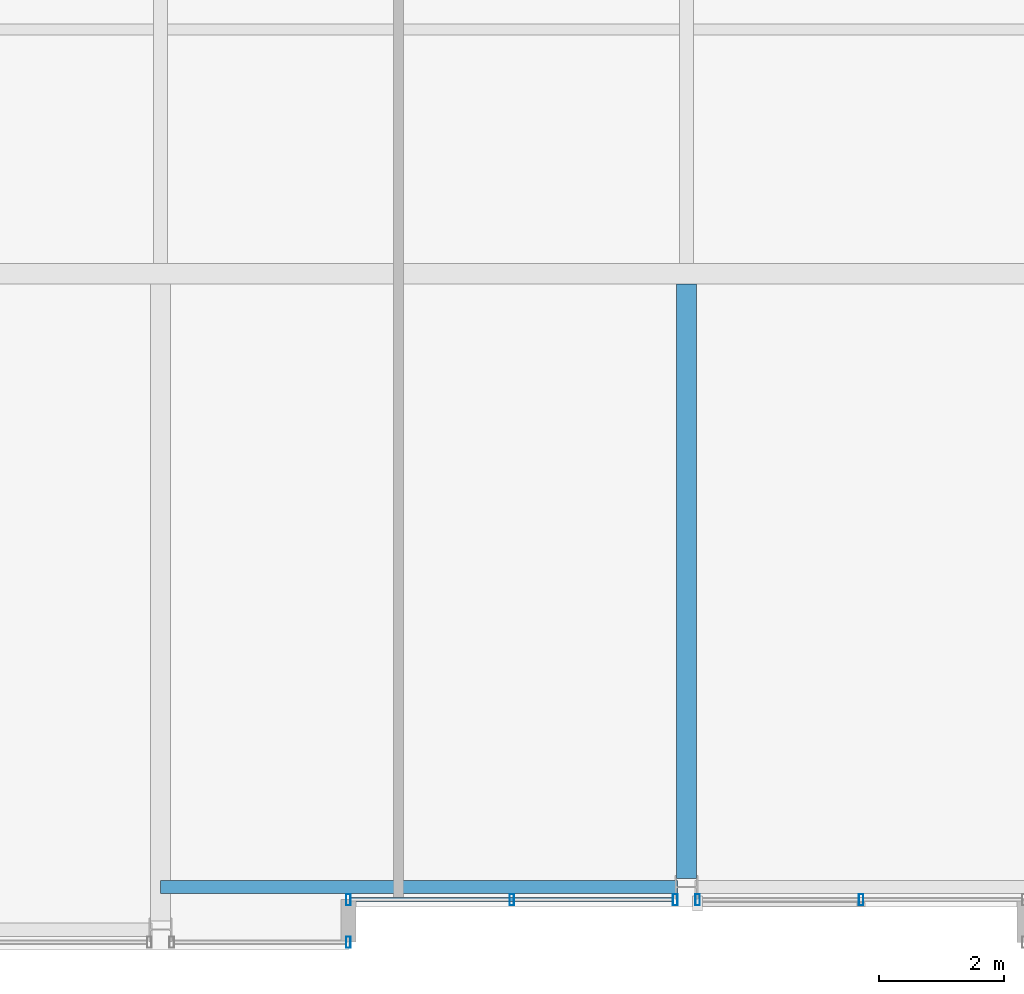
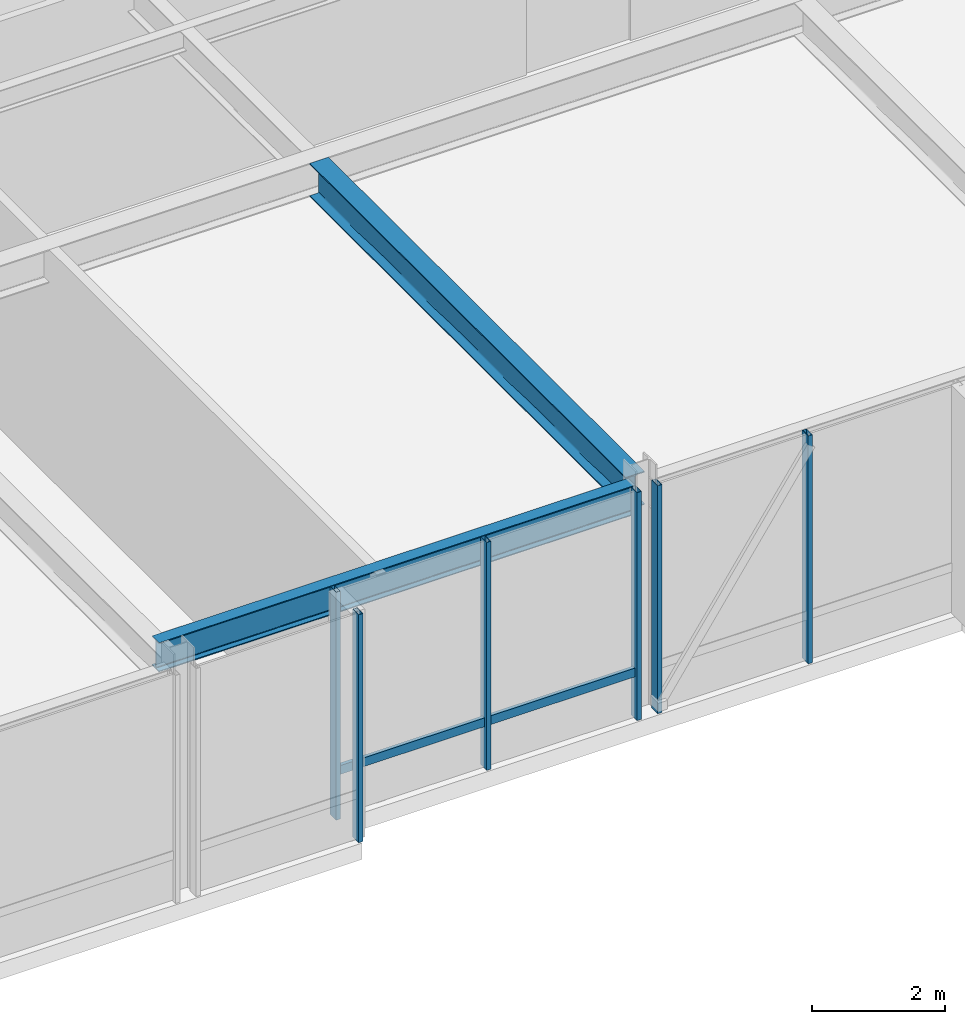
# One storey, part 6 of 32: 7 members, 2 beams, 3 elements without a shape of their own.
"""IFC4 building model written with IfcOpenShell, lengths in metres."""

from ifc_helpers import new_model, si_unit, direction, frame, origin, origin_2d, place, context, subcontext, project, spatial, hollow_rectangle, i_section, extrude, material, layer, layer_set, material_profile, profile_set, type_object, element, aggregate, save


model = new_model("IFC4")

# Units and contexts
model_context = context("Model", 3, precision=1e-05, world=origin(), true_north=direction((0.0, 1.0)))
body_context = subcontext(model_context, "Body", "Model", "MODEL_VIEW")
ifc_project = project(units=[si_unit("LENGTHUNIT", "METRE"), si_unit("AREAUNIT", "SQUARE_METRE"), si_unit("VOLUMEUNIT", "CUBIC_METRE"), si_unit("PLANEANGLEUNIT", "RADIAN"), si_unit("MASSUNIT", "GRAM", prefix="KILO")], contexts=[model_context])

# Site, building, storey
site_placement = place(None, origin())
site = spatial("IfcSite", under=ifc_project, at=site_placement, CompositionType="ELEMENT")
building_placement = place(site_placement, origin())
building = spatial("IfcBuilding", under=site, at=building_placement, Name="Drelvath Grand Hotel", CompositionType="ELEMENT")
storey_placement = place(building_placement, frame((0.0, 0.0, 255.5)))
storey = spatial("IfcBuildingStorey", under=building, at=storey_placement, Name="L67", CompositionType="ELEMENT", Elevation=255.5)

# Curtain wall, members
ifc_material_1 = material(Name="Platinum-Mist Anodised Aluminium Frame", Category="aluminium")
ifc_layer = layer(ifc_material_1, 0.199951171875)
ifc_layer_set = layer_set([ifc_layer], Name="Platinum-Mist Anodised Aluminium Frame")
curtain_wall_type = type_object("IfcCurtainWallType", Name="Stick Curtain Wall CW-05 Platinum Mist High-Rise", PredefinedType="NOTDEFINED", material=ifc_layer_set)
curtain_wall_1_placement = place(storey_placement, origin())
curtain_wall_1 = element("IfcCurtainWall", 1, at=curtain_wall_1_placement, inside=storey, type_object=curtain_wall_type, Name="L67 CW-05 Curtain Wall CW05-L67-SM1", PredefinedType="NOTDEFINED")
ifc_material_profile_1 = material_profile(ifc_material_1, hollow_rectangle(XDim=0.06494140625, YDim=0.159912109375, WallThickness=0.00390625, at=origin_2d()), Name="HSS160X65X4")
ifc_profile_set_1 = profile_set([ifc_material_profile_1], Name="Platinum-Mist Anodised Aluminium Frame")
member_type_1 = type_object("IfcMemberType", Name="Curtain Wall Horizontal Transom CW-05 HSS160X65X4", PredefinedType="USERDEFINED", material=ifc_profile_set_1)
member_1_placement = place(storey_placement, frame((-0.21826171875, 0.800048828125, 0.85009765625), z_axis=(-1.0, 0.0, 0.0), x_axis=(0.0, -1.0, 0.0)))
member_1 = element("IfcMember", 2, at=member_1_placement, type_object=member_type_1, Name="CW05-L67-SM1 Sill Transom", ObjectType="TRANSOM", PredefinedType="USERDEFINED", context=body_context, shape_type="SweptSolid", body=[
    extrude(hollow_rectangle(XDim=0.06494140625, YDim=0.159912109375, WallThickness=0.00390625, at=origin_2d()), origin(), (0.0, 0.0, 1.0), 5.141845703125),
])
ifc_material_profile_2 = material_profile(ifc_material_1, hollow_rectangle(XDim=0.074951171875, YDim=0.179931640625, WallThickness=0.0048828125, at=origin_2d()), Name="HSS180X75X5")
ifc_profile_set_2 = profile_set([ifc_material_profile_2], Name="Platinum-Mist Anodised Aluminium Frame")
member_type_2 = type_object("IfcMemberType", Name="Curtain Wall Vertical Mullion CW-05 HSS180X75X5", PredefinedType="MULLION", material=ifc_profile_set_2)
member_2_placement = place(storey_placement, frame((-0.17822265625, 0.800048828125, 0.0), z_axis=(0.0, 0.0, 1.0), x_axis=(1.0, 0.0, 0.0)))
member_2 = element("IfcMember", 3, at=member_2_placement, type_object=member_type_2, Name="CW05-L67-SM1 Mullion 1", PredefinedType="MULLION", context=body_context, shape_type="SweptSolid", body=[
    extrude(hollow_rectangle(XDim=0.074951171875, YDim=0.179931640625, WallThickness=0.0048828125, at=origin_2d()), origin(), (0.0, 0.0, 1.0), 4.179931640625),
])
member_3_placement = place(storey_placement, frame((-2.7890625, 0.800048828125, 0.0), z_axis=(0.0, 0.0, 1.0), x_axis=(1.0, 0.0, 0.0)))
member_3 = element("IfcMember", 4, at=member_3_placement, type_object=member_type_2, Name="CW05-L67-SM1 Mullion 2", PredefinedType="MULLION", context=body_context, shape_type="SweptSolid", body=[
    extrude(hollow_rectangle(XDim=0.074951171875, YDim=0.179931640625, WallThickness=0.0048828125, at=origin_2d()), origin(), (0.0, 0.0, 1.0), 4.179931640625),
])
member_4_placement = place(storey_placement, frame((-5.39990234375, 0.800048828125, 0.0), z_axis=(0.0, 0.0, 1.0), x_axis=(1.0, 0.0, 0.0)))
member_4 = element("IfcMember", 5, at=member_4_placement, type_object=member_type_2, Name="CW05-L67-SM1 Mullion 3", PredefinedType="MULLION", context=body_context, shape_type="SweptSolid", body=[
    extrude(hollow_rectangle(XDim=0.074951171875, YDim=0.179931640625, WallThickness=0.0048828125, at=origin_2d()), origin(), (0.0, 0.0, 1.0), 4.179931640625),
])
aggregate(curtain_wall_1, [member_2, member_3, member_4, member_1])

curtain_wall_2_placement = place(storey_placement, origin())
curtain_wall_2 = element("IfcCurtainWall", 6, at=curtain_wall_2_placement, inside=storey, type_object=curtain_wall_type, Name="L67 CW-05 Curtain Wall CW05-L67-SM2", PredefinedType="NOTDEFINED")
member_5_placement = place(storey_placement, frame((2.7890625, 0.800048828125, 0.0), z_axis=(0.0, 0.0, 1.0), x_axis=(1.0, 0.0, 0.0)))
member_5 = element("IfcMember", 7, at=member_5_placement, type_object=member_type_2, Name="CW05-L67-SM2 Mullion 2", PredefinedType="MULLION", context=body_context, shape_type="SweptSolid", body=[
    extrude(hollow_rectangle(XDim=0.074951171875, YDim=0.179931640625, WallThickness=0.0048828125, at=origin_2d()), origin(), (0.0, 0.0, 1.0), 4.179931640625),
])
member_6_placement = place(storey_placement, frame((0.17822265625, 0.800048828125, 0.0), z_axis=(0.0, 0.0, 1.0), x_axis=(1.0, 0.0, 0.0)))
member_6 = element("IfcMember", 8, at=member_6_placement, type_object=member_type_2, Name="CW05-L67-SM2 Mullion 3", PredefinedType="MULLION", context=body_context, shape_type="SweptSolid", body=[
    extrude(hollow_rectangle(XDim=0.074951171875, YDim=0.179931640625, WallThickness=0.0048828125, at=origin_2d()), origin(), (0.0, 0.0, 1.0), 4.179931640625),
])
aggregate(curtain_wall_2, [member_5, member_6])

# Curtain wall, member
curtain_wall_3_placement = place(storey_placement, origin())
curtain_wall_3 = element("IfcCurtainWall", 9, at=curtain_wall_3_placement, inside=storey, type_object=curtain_wall_type, Name="L67 CW-05 Curtain Wall CW05-L67-SW3", PredefinedType="NOTDEFINED")
member_7_placement = place(storey_placement, frame((-5.39990234375, 0.1201171875, 0.0), z_axis=(0.0, 0.0, 1.0), x_axis=(1.0, 0.0, 0.0)))
member_7 = element("IfcMember", 10, at=member_7_placement, type_object=member_type_2, Name="CW05-L67-SW3 Mullion 1", PredefinedType="MULLION", context=body_context, shape_type="SweptSolid", body=[
    extrude(hollow_rectangle(XDim=0.074951171875, YDim=0.179931640625, WallThickness=0.0048828125, at=origin_2d()), origin(), (0.0, 0.0, 1.0), 4.179931640625),
])
aggregate(curtain_wall_3, [member_7])

# Beams
ifc_material_2 = material(Name="Steel ASTM A992 Gr 50", Category="steel")
ifc_material_profile_3 = material_profile(ifc_material_2, i_section(OverallWidth=0.210205078125, OverallDepth=0.53662109375, WebThickness=0.010986328125, FlangeThickness=0.017333984375, FilletRadius=0.01806640625, at=origin_2d()), Name="W21X68")
ifc_profile_set_3 = profile_set([ifc_material_profile_3], Name="Steel ASTM A992 Gr 50")
beam_type_1 = type_object("IfcBeamType", Name="Perimeter Spandrel Beam W21X68", PredefinedType="SPANDREL", material=ifc_profile_set_3)
beam_1_placement = place(storey_placement, frame((-8.39990234375, 1.0, 3.91162109375), z_axis=(1.0, 0.0, 0.0), x_axis=(0.0, 1.0, 0.0)))
element("IfcBeam", 11, at=beam_1_placement, inside=storey, type_object=beam_type_1, Name="L67 Spandrel South Mid W", PredefinedType="SPANDREL", context=body_context, shape_type="SweptSolid", body=[
    extrude(i_section(OverallWidth=0.210205078125, OverallDepth=0.53662109375, WebThickness=0.010986328125, FlangeThickness=0.017333984375, FilletRadius=0.01806640625, at=origin_2d()), origin(), (0.0, 0.0, 1.0), 8.260009765625),
])
ifc_material_profile_4 = material_profile(ifc_material_2, i_section(OverallWidth=0.323974609375, OverallDepth=0.611083984375, WebThickness=0.0126953125, FlangeThickness=0.01904296875, FilletRadius=0.02197265625, at=origin_2d()), Name="W24X104")
ifc_profile_set_4 = profile_set([ifc_material_profile_4], Name="Steel ASTM A992 Gr 50")
beam_type_2 = type_object("IfcBeamType", Name="Primary Floor Girder W24X104", PredefinedType="BEAM", material=ifc_profile_set_4)
beam_2_placement = place(storey_placement, frame((0.0, 1.139892578125, 3.87451171875), z_axis=(0.0, 1.0, 0.0), x_axis=(-1.0, 0.0, 0.0)))
element("IfcBeam", 12, at=beam_2_placement, inside=storey, type_object=beam_type_2, Name="L67 South Wing Girder 5", PredefinedType="BEAM", context=body_context, shape_type="SweptSolid", body=[
    extrude(i_section(OverallWidth=0.323974609375, OverallDepth=0.611083984375, WebThickness=0.0126953125, FlangeThickness=0.01904296875, FilletRadius=0.02197265625, at=origin_2d()), origin(), (0.0, 0.0, 1.0), 9.498046875),
])

save(model, "model.ifc")
